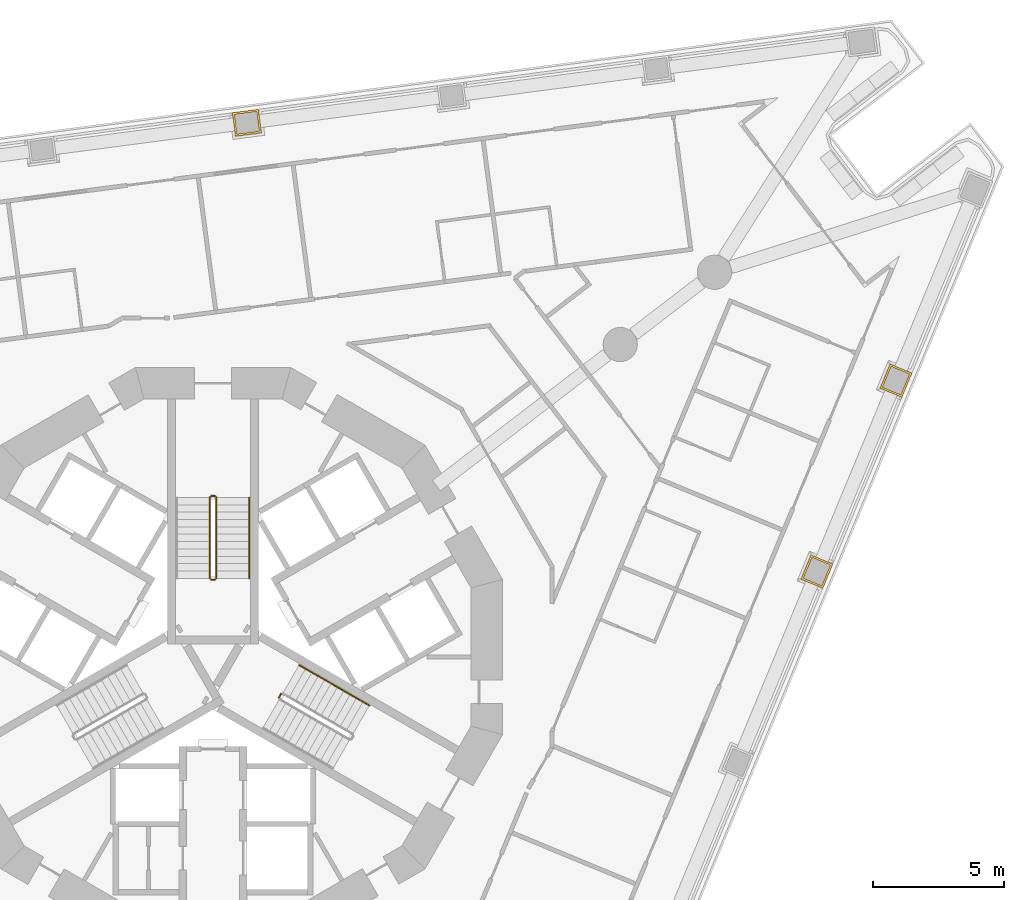
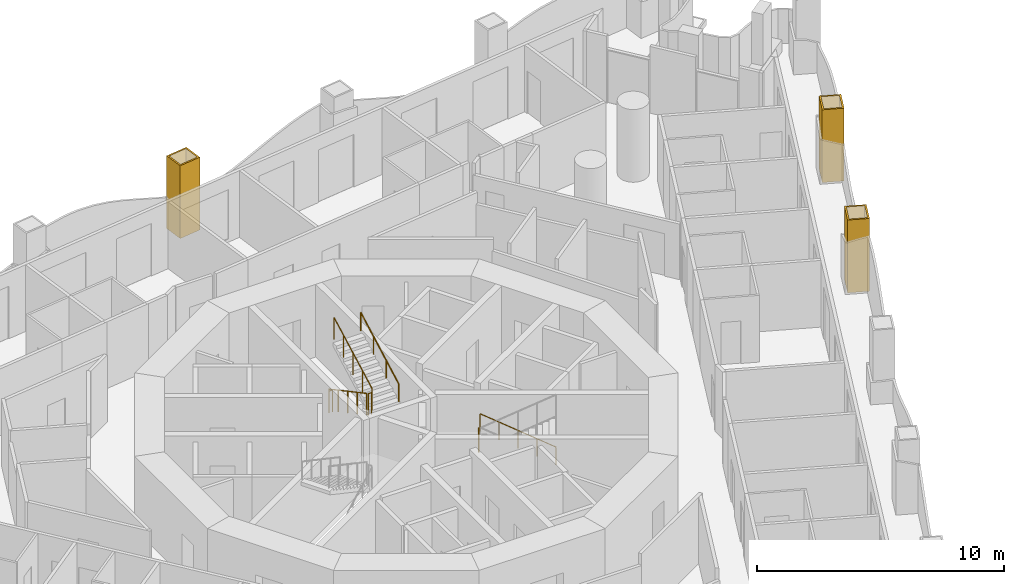
# One storey, part 17 of 19: 8 railings, 3 coverings.
"""IFC4 building model written with IfcOpenShell, lengths in metres."""

import ifcopenshell
import ifcopenshell.guid

model = None  # the IFC model being written
_history = None  # IfcOwnerHistory: only IFC2X3 demands one
_inside = {}  # id of a spatial element -> (the spatial element, [elements in it])
_under = {}  # id of a project, library or spatial element -> (it, [spatial elements below it])
_declared = {}  # id of a project -> (the project, [libraries it declares])
_typed = {}  # id of a type object -> (the type object, [elements of that type])
_made_of = {}  # id of a material, layer set ... -> (it, [elements and type objects made of it])


def new_model(schema):
    """Start an empty IFC model of exactly this schema.

    Asked for "IFC4X3", IfcOpenShell would pick the latest addendum, in which some entities
    have other attributes; the version numbers below select the first issue.
    IFC2X3 requires an IfcOwnerHistory on every rooted entity: one is made here for all.
    """
    global model, _history
    if schema == "IFC4X3":
        model = ifcopenshell.file(schema_version=(4, 3, 0, 0))
    else:
        model = ifcopenshell.file(schema=schema)
    _inside.clear()
    _under.clear()
    _declared.clear()
    _typed.clear()
    _made_of.clear()
    _history = None
    if model.schema == "IFC2X3":
        org = make("IfcOrganization", Name="unknown")
        user = make(
            "IfcPersonAndOrganization",
            ThePerson=make("IfcPerson", FamilyName="unknown"),
            TheOrganization=org,
        )
        app = make(
            "IfcApplication",
            ApplicationDeveloper=org,
            Version="unknown",
            ApplicationFullName="unknown",
            ApplicationIdentifier="unknown",
        )
        _history = make(
            "IfcOwnerHistory",
            OwningUser=user,
            OwningApplication=app,
            ChangeAction="ADDED",
            CreationDate=0,
        )
    return model


def make(cls, **values):
    """One entity of the class cls with the attributes given. An attribute that is None is left unset."""
    return model.create_entity(
        cls, **{name: value for name, value in values.items() if value is not None}
    )


def rooted(cls, **values):
    """An entity with a GlobalId (a new one), such as an element, a storey or a relation."""
    return make(cls, GlobalId=ifcopenshell.guid.new(), OwnerHistory=_history, **values)


def si_unit(unit_type, name, prefix=None):
    """IfcSIUnit, for example si_unit("LENGTHUNIT", "METRE", prefix="MILLI")."""
    return make("IfcSIUnit", UnitType=unit_type, Prefix=prefix, Name=name)


def assignment(units):
    """IfcUnitAssignment: the units of a project."""
    return None if units is None else make("IfcUnitAssignment", Units=units)


def point(xyz):
    """IfcCartesianPoint."""
    return None if xyz is None else make("IfcCartesianPoint", Coordinates=xyz)


def direction(xyz):
    """IfcDirection."""
    return None if xyz is None else make("IfcDirection", DirectionRatios=xyz)


def frame(location, z_axis=None, x_axis=None):
    """IfcAxis2Placement3D, a coordinate frame: its origin and axes. An axis left out is left unset."""
    return make(
        "IfcAxis2Placement3D",
        Location=point(location),
        Axis=direction(z_axis),
        RefDirection=direction(x_axis),
    )


def frame_2d(location, x_axis=None):
    """IfcAxis2Placement2D, a coordinate frame in the plane: its origin and x axis."""
    return make(
        "IfcAxis2Placement2D", Location=point(location), RefDirection=direction(x_axis)
    )


def origin():
    """The frame at (0, 0, 0) with its axes left unset."""
    return frame((0.0, 0.0, 0.0))


def origin_2d():
    """The frame at (0, 0) in the plane with its x axis left unset."""
    return frame_2d((0.0, 0.0))


def place(relative_to, where):
    """IfcLocalPlacement: puts the frame where relative to a parent placement (None: the world)."""
    return make(
        "IfcLocalPlacement", PlacementRelTo=relative_to, RelativePlacement=where
    )


def context(
    kind, dimensions, precision=None, world=None, true_north=None, identifier=None
):
    """IfcGeometricRepresentationContext, for example the 3D "Model" context."""
    return make(
        "IfcGeometricRepresentationContext",
        ContextIdentifier=identifier,
        ContextType=kind,
        CoordinateSpaceDimension=dimensions,
        Precision=precision,
        WorldCoordinateSystem=world,
        TrueNorth=true_north,
    )


def subcontext(parent, identifier, kind, view, scale=None):
    """IfcGeometricRepresentationSubContext, for example "Body" below "Model"."""
    return make(
        "IfcGeometricRepresentationSubContext",
        ContextIdentifier=identifier,
        ContextType=kind,
        ParentContext=parent,
        TargetScale=scale,
        TargetView=view,
    )


def project(units=None, contexts=None):
    """IfcProject with its units and contexts."""
    return rooted(
        "IfcProject",
        Name="project",
        RepresentationContexts=contexts,
        UnitsInContext=assignment(units),
    )


def spatial(cls, under=None, at=None, **own):
    """A site, building, storey or space (cls), placed at a placement, below another one or the project."""
    s = rooted(cls, ObjectPlacement=at, **own)
    if under is not None:
        _under.setdefault(under.id(), (under, []))[1].append(s)
    return s


def polyline(points):
    """IfcPolyline through the points."""
    return make("IfcPolyline", Points=[point(p) for p in points])


def profile(cls, at=None, kind="AREA", **sizes):
    """A parametric profile (cls). Its sizes go by their IFC names, for example OverallWidth=200.0."""
    return make(cls, ProfileType=kind, Position=at, **sizes)


def circle(**sizes):
    """IfcCircleProfileDef."""
    return profile("IfcCircleProfileDef", **sizes)


def outline(outer, holes=None, kind="AREA"):
    """IfcArbitraryClosedProfileDef: a profile drawn as a closed curve; with holes, ...WithVoids."""
    if holes is None:
        return make("IfcArbitraryClosedProfileDef", ProfileType=kind, OuterCurve=outer)
    return make(
        "IfcArbitraryProfileDefWithVoids",
        ProfileType=kind,
        OuterCurve=outer,
        InnerCurves=holes,
    )


def extrude(swept, where, along, depth):
    """IfcExtrudedAreaSolid: the profile swept, set in the frame where, extruded along a direction by depth."""
    return make(
        "IfcExtrudedAreaSolid",
        SweptArea=swept,
        Position=where,
        ExtrudedDirection=direction(along),
        Depth=depth,
    )


def shape(context_of_items, identifier, shape_type, items):
    """IfcShapeRepresentation: the items that make up one representation, for example the "Body"."""
    return make(
        "IfcShapeRepresentation",
        ContextOfItems=context_of_items,
        RepresentationIdentifier=identifier,
        RepresentationType=shape_type,
        Items=items,
    )


def material(Name=None, Category=None):
    """IfcMaterial."""
    return make("IfcMaterial", Name=Name, Category=Category)


def layer(
    of_material, thickness, ventilated=None, Name=None, Category=None, Priority=None
):
    """IfcMaterialLayer: one layer of a wall or slab, of a material (None: an air gap)."""
    return make(
        "IfcMaterialLayer",
        Material=of_material,
        LayerThickness=thickness,
        IsVentilated=ventilated,
        Name=Name,
        Category=Category,
        Priority=Priority,
    )


def layer_set(layers, Name=None):
    """IfcMaterialLayerSet."""
    return make("IfcMaterialLayerSet", MaterialLayers=layers, LayerSetName=Name)


def made_of(thing, what):
    """Note that an element or type object is made of a material, layer set ...; save() writes the relation."""
    if what is not None:
        _made_of.setdefault(what.id(), (what, []))[1].append(thing)
    return thing


def type_object(cls, material=None, **own):
    """A type object (cls), such as IfcWallType, which elements share."""
    return made_of(rooted(cls, **own), material)


def element(
    cls,
    number,
    at=None,
    inside=None,
    cuts=None,
    type_object=None,
    material=None,
    context=None,
    identifier="Body",
    shape_type=None,
    held_by="IfcProductDefinitionShape",
    body=None,
    shapes=None,
    **own,
):
    """One element of the class cls, such as IfcWall. Its Tag is "e" and its number.

    at: its placement. inside: the storey or other place that contains it. cuts: it is an
    opening in that element (IfcRelVoidsElement). A single representation is given by context,
    identifier, shape_type and body (its items); several are given by shapes. held_by: the class
    of the entity that holds the representations. save() writes the other relations.
    """
    e = rooted(cls, Tag="e%d" % number, ObjectPlacement=at, **own)
    if body is not None:
        shapes = [shape(context, identifier, shape_type, body)]
    if shapes is not None:
        e.Representation = make(held_by, Representations=shapes)
    if inside is not None:
        _inside.setdefault(inside.id(), (inside, []))[1].append(e)
    if cuts is not None:
        rooted(
            "IfcRelVoidsElement", RelatingBuildingElement=cuts, RelatedOpeningElement=e
        )
    if type_object is not None:
        _typed.setdefault(type_object.id(), (type_object, []))[1].append(e)
    return made_of(e, material)


def aggregate(whole, parts):
    """IfcRelAggregates: a whole, such as a stair, and the parts it consists of."""
    return rooted("IfcRelAggregates", RelatingObject=whole, RelatedObjects=parts)


def save(model, path):
    """Write the relations noted so far, then the file.

    IfcRelAggregates (storeys below a building ...), IfcRelContainedInSpatialStructure (elements
    in a storey), IfcRelDefinesByType, IfcRelAssociatesMaterial and IfcRelDeclares: one each for
    every whole, place, type object, material and project.
    """
    for whole, parts in _under.values():
        aggregate(whole, parts)
    for where, things in _inside.values():
        rooted(
            "IfcRelContainedInSpatialStructure",
            RelatedElements=things,
            RelatingStructure=where,
        )
    for kind, things in _typed.values():
        rooted("IfcRelDefinesByType", RelatedObjects=things, RelatingType=kind)
    for what, things in _made_of.values():
        rooted("IfcRelAssociatesMaterial", RelatedObjects=things, RelatingMaterial=what)
    for by, libraries in _declared.values():
        rooted("IfcRelDeclares", RelatingContext=by, RelatedDefinitions=libraries)
    model.write(path)


model = new_model("IFC4")

# Units and contexts
model_context = context("Model", 3, precision=1e-05, world=origin(), true_north=direction((0.0, 1.0)))
body_context = subcontext(model_context, "Body", "Model", "MODEL_VIEW")
ifc_project = project(units=[si_unit("LENGTHUNIT", "METRE"), si_unit("AREAUNIT", "SQUARE_METRE"), si_unit("VOLUMEUNIT", "CUBIC_METRE"), si_unit("PLANEANGLEUNIT", "RADIAN"), si_unit("MASSUNIT", "GRAM", prefix="KILO")], contexts=[model_context])

# Site, building, storey
site_placement = place(None, origin())
site = spatial("IfcSite", under=ifc_project, at=site_placement, CompositionType="ELEMENT")
building_placement = place(site_placement, origin())
building = spatial("IfcBuilding", under=site, at=building_placement, Name="Trine Commons Tower", CompositionType="ELEMENT")
storey_placement = place(building_placement, frame((0.0, 0.0, 64.800048828125)))
storey = spatial("IfcBuildingStorey", under=building, at=storey_placement, Name="L15", CompositionType="ELEMENT", Elevation=64.800048828125)

# Coverings
ifc_material_1 = material(Name="Limestone, honed", Category="masonry")
ifc_layer = layer(ifc_material_1, 0.074951171875)
ifc_layer_set = layer_set([ifc_layer], Name="Limestone, honed")
covering_type = type_object("IfcCoveringType", Name="Limestone column cladding 75", PredefinedType="CLADDING", material=ifc_layer_set)
covering_1_placement = place(storey_placement, origin())
element("IfcCovering", 1, at=covering_1_placement, inside=storey, type_object=covering_type, Name="Limestone pier cladding 2-13", PredefinedType="CLADDING", context=body_context, shape_type="SweptSolid", body=[
    extrude(outline(polyline([(81.843505859375, 82.43798828125), (81.72607421875, 83.330322265625), (80.734619140625, 83.19970703125), (80.85205078125, 82.3076171875), (81.843505859375, 82.43798828125)]), holes=[polyline([(81.759521484375, 82.502685546875), (81.66162109375, 83.24609375), (80.81884765625, 83.13525390625), (80.916748046875, 82.3916015625), (81.759521484375, 82.502685546875)])]), origin(), (0.0, 0.0, 1.0), 3.599853515625),
])
covering_2_placement = place(storey_placement, origin())
element("IfcCovering", 2, at=covering_2_placement, inside=storey, type_object=covering_type, Name="Limestone pier cladding 2-18", PredefinedType="CLADDING", context=body_context, shape_type="SweptSolid", body=[
    extrude(outline(polyline([(106.58349609375, 73.30029296875), (105.751953125, 73.644775390625), (105.369140625, 72.720947265625), (106.20068359375, 72.37646484375), (106.58349609375, 73.30029296875)]), holes=[polyline([(106.4853515625, 73.259765625), (105.79248046875, 73.546875), (105.46728515625, 72.761474609375), (106.16015625, 72.474365234375), (106.4853515625, 73.259765625)])]), origin(), (0.0, 0.0, 1.0), 3.599853515625),
])
covering_3_placement = place(storey_placement, origin())
element("IfcCovering", 3, at=covering_3_placement, inside=storey, type_object=covering_type, Name="Limestone pier cladding 2-19", PredefinedType="CLADDING", context=body_context, shape_type="SweptSolid", body=[
    extrude(outline(polyline([(103.575439453125, 66.0380859375), (102.743896484375, 66.382568359375), (102.361083984375, 65.458740234375), (103.192626953125, 65.114501953125), (103.575439453125, 66.0380859375)]), holes=[polyline([(103.477294921875, 65.99755859375), (102.784423828125, 66.28466796875), (102.459228515625, 65.49951171875), (103.152099609375, 65.21240234375), (103.477294921875, 65.99755859375)])]), origin(), (0.0, 0.0, 1.0), 3.599853515625),
])

# Railings
ifc_material_2 = material(Name="Stainless steel balustrade", Category="steel")
railing_type_1 = type_object("IfcRailingType", Name="Stair guard, steel balustrade 1100", PredefinedType="GUARDRAIL", material=ifc_material_2)
railing_1_placement = place(storey_placement, frame((79.875, 68.570556640625, 0.14990234375)))
element("IfcRailing", 4, at=railing_1_placement, inside=storey, type_object=railing_type_1, Name="L15 ST1A stair guard 1", PredefinedType="GUARDRAIL", context=body_context, shape_type="SweptSolid", body=[
    extrude(circle(Radius=0.02392578125, at=origin_2d()), frame((0.0, 0.0, 1.076171875), z_axis=(0.0, -0.881467505477, 0.472244678941), x_axis=(1.0, 0.0, 0.0)), (0.0, 0.0, 1.0), 3.494140625),
    extrude(circle(Radius=0.02099609375, at=origin_2d()), origin(), (0.0, 0.0, 1.0), 1.052001953125),
    extrude(circle(Radius=0.02099609375, at=origin_2d()), frame((0.0, -0.77001953125, 0.41259765625)), (0.0, 0.0, 1.0), 1.052001953125),
    extrude(circle(Radius=0.02099609375, at=origin_2d()), frame((0.0, -1.5400390625, 0.8251953125)), (0.0, 0.0, 1.0), 1.052001953125),
    extrude(circle(Radius=0.02099609375, at=origin_2d()), frame((0.0, -2.31005859375, 1.237548828125)), (0.0, 0.0, 1.0), 1.052001953125),
    extrude(circle(Radius=0.02099609375, at=origin_2d()), frame((0.0, -3.080078125, 1.650146484375)), (0.0, 0.0, 1.0), 1.052001953125),
])
railing_2_placement = place(storey_placement, frame((79.925048828125, 65.440673828125, 1.800048828125)))
element("IfcRailing", 5, at=railing_2_placement, inside=storey, type_object=railing_type_1, Name="L15 ST1A stair guard 2", PredefinedType="GUARDRAIL", context=body_context, shape_type="SweptSolid", body=[
    extrude(circle(Radius=0.02392578125, at=origin_2d()), frame((0.0, 0.0, 1.076171875), z_axis=(1.0, 0.0, 0.0), x_axis=(0.0, 1.0, 0.0)), (0.0, 0.0, 1.0), 0.14990234375),
    extrude(circle(Radius=0.02099609375, at=origin_2d()), origin(), (0.0, 0.0, 1.0), 1.052001953125),
    extrude(circle(Radius=0.02099609375, at=origin_2d()), frame((0.14990234375, 0.0, 0.0)), (0.0, 0.0, 1.0), 1.052001953125),
])
railing_3_placement = place(storey_placement, frame((80.125, 65.490478515625, 1.949951171875)))
element("IfcRailing", 6, at=railing_3_placement, inside=storey, type_object=railing_type_1, Name="L15 ST1A stair guard 3", PredefinedType="GUARDRAIL", context=body_context, shape_type="SweptSolid", body=[
    extrude(circle(Radius=0.02392578125, at=origin_2d()), frame((0.0, 0.0, 1.076171875), z_axis=(0.0, 0.881496589024, 0.472190389079), x_axis=(-1.0, 0.0, 0.0)), (0.0, 0.0, 1.0), 3.494140625),
    extrude(circle(Radius=0.02099609375, at=origin_2d()), origin(), (0.0, 0.0, 1.0), 1.052001953125),
    extrude(circle(Radius=0.02099609375, at=origin_2d()), frame((0.0, 0.77001953125, 0.41259765625)), (0.0, 0.0, 1.0), 1.052001953125),
    extrude(circle(Radius=0.02099609375, at=origin_2d()), frame((0.0, 1.5400390625, 0.824951171875)), (0.0, 0.0, 1.0), 1.052001953125),
    extrude(circle(Radius=0.02099609375, at=origin_2d()), frame((0.0, 2.31005859375, 1.2373046875)), (0.0, 0.0, 1.0), 1.052001953125),
    extrude(circle(Radius=0.02099609375, at=origin_2d()), frame((0.0, 3.080078125, 1.64990234375)), (0.0, 0.0, 1.0), 1.052001953125),
])
railing_4_placement = place(storey_placement, frame((79.925048828125, 68.62060546875, 0.0)))
element("IfcRailing", 7, at=railing_4_placement, inside=storey, type_object=railing_type_1, Name="L15 ST1A stair guard 4", PredefinedType="GUARDRAIL", context=body_context, shape_type="SweptSolid", body=[
    extrude(circle(Radius=0.02392578125, at=origin_2d()), frame((0.0, 0.0, 1.076171875), z_axis=(1.0, 0.0, 0.0), x_axis=(0.0, 1.0, 0.0)), (0.0, 0.0, 1.0), 0.14990234375),
    extrude(circle(Radius=0.02099609375, at=origin_2d()), origin(), (0.0, 0.0, 1.0), 1.052001953125),
    extrude(circle(Radius=0.02099609375, at=origin_2d()), frame((0.14990234375, 0.0, 0.0)), (0.0, 0.0, 1.0), 1.052001953125),
])
railing_5_placement = place(storey_placement, frame((82.584228515625, 61.0947265625, 1.800048828125)))
element("IfcRailing", 8, at=railing_5_placement, inside=storey, type_object=railing_type_1, Name="L15 ST3A stair guard 2", PredefinedType="GUARDRAIL", context=body_context, shape_type="SweptSolid", body=[
    extrude(circle(Radius=0.02392578125, at=origin_2d()), frame((0.0, 0.0, 1.076171875), z_axis=(-0.501036270542, -0.865426285481, 0.0), x_axis=(0.865426285481, -0.501036270542, 0.0)), (0.0, 0.0, 1.0), 0.150146484375),
    extrude(circle(Radius=0.02099609375, at=origin_2d()), origin(), (0.0, 0.0, 1.0), 1.052001953125),
    extrude(circle(Radius=0.02099609375, at=origin_2d()), frame((-0.0751953125, -0.1298828125, 0.0)), (0.0, 0.0, 1.0), 1.052001953125),
])
ifc_material_3 = material(Name="Stainless steel handrail", Category="steel")
railing_type_2 = type_object("IfcRailingType", Name="Stair handrail, steel 900", PredefinedType="HANDRAIL", material=ifc_material_3)
railing_6_placement = place(storey_placement, frame((81.375, 65.490478515625, 1.949951171875)))
element("IfcRailing", 9, at=railing_6_placement, inside=storey, type_object=railing_type_2, Name="L15 ST1A stair handrail 2", PredefinedType="HANDRAIL", context=body_context, shape_type="SweptSolid", body=[
    extrude(circle(Radius=0.02099609375, at=origin_2d()), frame((0.0, 0.0, 0.87890625), z_axis=(0.0, 0.881496589024, 0.472190389079), x_axis=(-1.0, 0.0, 0.0)), (0.0, 0.0, 1.0), 3.494140625),
    extrude(circle(Radius=0.01513671875, at=origin_2d()), origin(), (0.0, 0.0, 1.0), 0.85791015625),
    extrude(circle(Radius=0.01513671875, at=origin_2d()), frame((0.0, 1.026611328125, 0.550048828125)), (0.0, 0.0, 1.0), 0.85791015625),
    extrude(circle(Radius=0.01513671875, at=origin_2d()), frame((0.0, 2.053466796875, 1.099853515625)), (0.0, 0.0, 1.0), 0.85791015625),
    extrude(circle(Radius=0.01513671875, at=origin_2d()), frame((0.0, 3.080078125, 1.64990234375)), (0.0, 0.0, 1.0), 0.85791015625),
])
railing_7_placement = place(storey_placement, frame((85.94482421875, 60.655517578125, 0.14990234375)))
element("IfcRailing", 10, at=railing_7_placement, inside=storey, type_object=railing_type_2, Name="L15 ST3A stair handrail 1", PredefinedType="HANDRAIL", context=body_context, shape_type="SweptSolid", body=[
    extrude(circle(Radius=0.02099609375, at=origin_2d()), frame((0.0, 0.0, 0.87890625), z_axis=(-0.76340495495, 0.440743040072, 0.472184759798), x_axis=(-0.499992328818, -0.866029832698, 0.0)), (0.0, 0.0, 1.0), 1.7470703125),
    extrude(circle(Radius=0.01513671875, at=origin_2d()), origin(), (0.0, 0.0, 1.0), 0.85791015625),
    extrude(circle(Radius=0.01513671875, at=origin_2d()), frame((-0.6669921875, 0.385009765625, 0.41259765625)), (0.0, 0.0, 1.0), 0.85791015625),
    extrude(circle(Radius=0.01513671875, at=origin_2d()), frame((-1.333740234375, 0.77001953125, 0.824951171875)), (0.0, 0.0, 1.0), 0.85791015625),
])
railing_8_placement = place(storey_placement, frame((84.611083984375, 61.425537109375, 0.974853515625)))
element("IfcRailing", 11, at=railing_8_placement, inside=storey, type_object=railing_type_2, Name="L15 ST3A stair handrail 2", PredefinedType="HANDRAIL", context=body_context, shape_type="SweptSolid", body=[
    extrude(circle(Radius=0.02099609375, at=origin_2d()), frame((0.0, 0.0, 0.87890625), z_axis=(-0.763354580307, 0.440713956853, 0.472293333596), x_axis=(-0.499992328818, -0.866029832698, 0.0)), (0.0, 0.0, 1.0), 1.747314453125),
    extrude(circle(Radius=0.01513671875, at=origin_2d()), origin(), (0.0, 0.0, 1.0), 0.85791015625),
    extrude(circle(Radius=0.01513671875, at=origin_2d()), frame((-0.6669921875, 0.385009765625, 0.41259765625)), (0.0, 0.0, 1.0), 0.85791015625),
    extrude(circle(Radius=0.01513671875, at=origin_2d()), frame((-1.333740234375, 0.77001953125, 0.8251953125)), (0.0, 0.0, 1.0), 0.85791015625),
])

save(model, "model.ifc")
